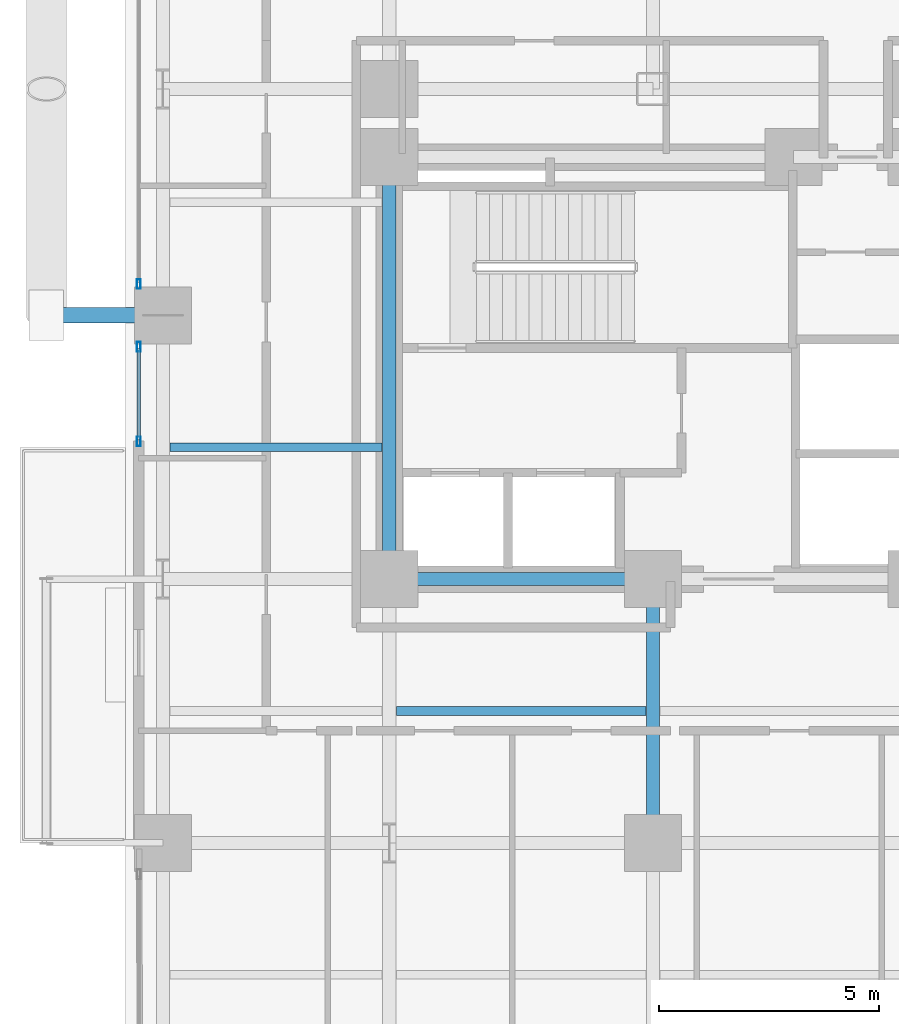
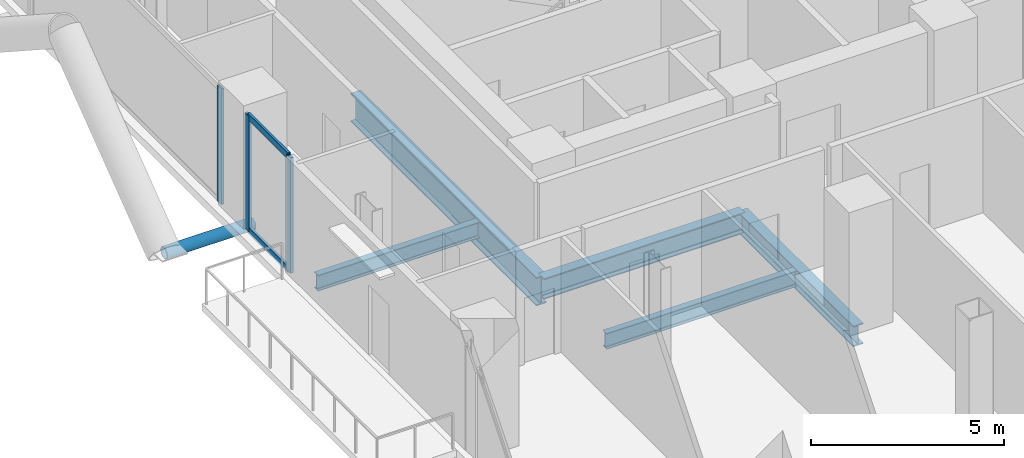
# One storey, part 5 of 25: 6 members, 5 beams, 2 elements without a shape of their own.
"""IFC4 building model written with IfcOpenShell, lengths in metres."""

from ifc_helpers import new_model, si_unit, direction, frame, origin, origin_2d, place, context, subcontext, project, spatial, hollow_rectangle, hollow_circle, i_section, extrude, material, layer, layer_set, material_profile, profile_set, type_object, element, aggregate, save


model = new_model("IFC4")

# Units and contexts
model_context = context("Model", 3, precision=1e-05, world=origin(), true_north=direction((0.0, 1.0)))
body_context = subcontext(model_context, "Body", "Model", "MODEL_VIEW")
ifc_project = project(units=[si_unit("LENGTHUNIT", "METRE"), si_unit("AREAUNIT", "SQUARE_METRE"), si_unit("VOLUMEUNIT", "CUBIC_METRE"), si_unit("PLANEANGLEUNIT", "RADIAN"), si_unit("MASSUNIT", "GRAM", prefix="KILO"), si_unit("THERMODYNAMICTEMPERATUREUNIT", "KELVIN"), si_unit("POWERUNIT", "WATT")], contexts=[model_context])

# Site, building, storey
site_placement = place(None, origin())
site = spatial("IfcSite", under=ifc_project, at=site_placement, CompositionType="ELEMENT")
building_placement = place(site_placement, origin())
building = spatial("IfcBuilding", under=site, at=building_placement, Name="Svarakhadi Broadcast Tower", CompositionType="ELEMENT")
storey_placement = place(building_placement, frame((0.0, 0.0, 51.89990234375)))
storey = spatial("IfcBuildingStorey", under=building, at=storey_placement, Name="L11", CompositionType="ELEMENT", Elevation=51.89990234375)

# Beams
ifc_material_1 = material(Name="Steel S355J2 (IS 2062 E350C)", Category="steel")
ifc_material_profile_1 = material_profile(ifc_material_1, i_section(OverallWidth=0.199951171875, OverallDepth=0.5, WebThickness=0.01025390625, FlangeThickness=0.01611328125, FilletRadius=0.02099609375, at=origin_2d()), Name="NPB 500x200x91")
ifc_profile_set_1 = profile_set([ifc_material_profile_1], Name="Steel S355J2 (IS 2062 E350C)")
beam_type_1 = type_object("IfcBeamType", Name="Beam_NPB500", PredefinedType="BEAM", material=ifc_profile_set_1)
beam_1_placement = place(storey_placement, frame((1.010009765625, 21.0, -0.5), z_axis=(1.0, 0.0, 0.0), x_axis=(0.0, 1.0, 0.0)))
element("IfcBeam", 1, at=beam_1_placement, inside=storey, type_object=beam_type_1, Name="L11 Secondary Composite Beam SB003", PredefinedType="BEAM", context=body_context, shape_type="SweptSolid", body=[
    extrude(i_section(OverallWidth=0.199951171875, OverallDepth=0.5, WebThickness=0.01025390625, FlangeThickness=0.01611328125, FilletRadius=0.02099609375, at=origin_2d()), origin(), (0.0, 0.0, 1.0), 4.830078125),
])
beam_2_placement = place(storey_placement, frame((6.159912109375, 15.0, -0.5), z_axis=(1.0, 0.0, 0.0), x_axis=(0.0, 1.0, 0.0)))
element("IfcBeam", 2, at=beam_2_placement, inside=storey, type_object=beam_type_1, Name="L11 Secondary Composite Beam SB009", PredefinedType="BEAM", context=body_context, shape_type="SweptSolid", body=[
    extrude(i_section(OverallWidth=0.199951171875, OverallDepth=0.5, WebThickness=0.01025390625, FlangeThickness=0.01611328125, FilletRadius=0.02099609375, at=origin_2d()), origin(), (0.0, 0.0, 1.0), 5.68017578125),
])

# Curtain wall, members
ifc_material_2 = material(Name="Anodised Bronze Aluminium AA 6063-T6", Category="aluminium")
ifc_layer = layer(ifc_material_2, 0.219970703125)
ifc_layer_set = layer_set([ifc_layer], Name="Anodised Bronze Aluminium AA 6063-T6")
curtain_wall_type = type_object("IfcCurtainWallType", Name="CW_Sys_02", PredefinedType="NOTDEFINED", material=ifc_layer_set)
curtain_wall_1_placement = place(storey_placement, origin())
curtain_wall_1 = element("IfcCurtainWall", 3, at=curtain_wall_1_placement, inside=storey, type_object=curtain_wall_type, Name="L11 West Curtain Wall 03 Bay 1", PredefinedType="NOTDEFINED")
ifc_material_profile_2 = material_profile(ifc_material_2, hollow_rectangle(XDim=0.0849609375, YDim=0.219970703125, WallThickness=0.006103515625, at=origin_2d()), Name="ALU MULLION 220x85x6")
ifc_profile_set_2 = profile_set([ifc_material_profile_2], Name="Anodised Bronze Aluminium AA 6063-T6")
member_type_1 = type_object("IfcMemberType", Name="CW_Sys_02_Mul", PredefinedType="MULLION", material=ifc_profile_set_2)
member_1_placement = place(storey_placement, frame((0.300048828125, 21.132568359375, 0.0), z_axis=(0.0, 0.0, 1.0), x_axis=(-1.0, 0.0, 0.0)))
member_1 = element("IfcMember", 4, at=member_1_placement, type_object=member_type_1, Name="CW-02 mullion 1", PredefinedType="MULLION", context=body_context, shape_type="SweptSolid", body=[
    extrude(hollow_rectangle(XDim=0.0849609375, YDim=0.219970703125, WallThickness=0.006103515625, at=origin_2d()), origin(), (0.0, 0.0, 1.0), 3.650146484375),
])
member_2_placement = place(storey_placement, frame((0.300048828125, 23.28759765625, 0.0), z_axis=(0.0, 0.0, 1.0), x_axis=(-1.0, 0.0, 0.0)))
member_2 = element("IfcMember", 5, at=member_2_placement, type_object=member_type_1, Name="CW-02 mullion 2", PredefinedType="MULLION", context=body_context, shape_type="SweptSolid", body=[
    extrude(hollow_rectangle(XDim=0.0849609375, YDim=0.219970703125, WallThickness=0.006103515625, at=origin_2d()), origin(), (0.0, 0.0, 1.0), 3.650146484375),
])

# Curtain wall, member
curtain_wall_2_placement = place(storey_placement, origin())
curtain_wall_2 = element("IfcCurtainWall", 6, at=curtain_wall_2_placement, inside=storey, type_object=curtain_wall_type, Name="L11 West Curtain Wall 03 Bay 2", PredefinedType="NOTDEFINED")
member_3_placement = place(storey_placement, frame((0.300048828125, 24.71240234375, 0.0), z_axis=(0.0, 0.0, 1.0), x_axis=(-1.0, 0.0, 0.0)))
member_3 = element("IfcMember", 7, at=member_3_placement, type_object=member_type_1, Name="CW-02 mullion 1", PredefinedType="MULLION", context=body_context, shape_type="SweptSolid", body=[
    extrude(hollow_rectangle(XDim=0.0849609375, YDim=0.219970703125, WallThickness=0.006103515625, at=origin_2d()), origin(), (0.0, 0.0, 1.0), 3.650146484375),
])
aggregate(curtain_wall_2, [member_3])

# Member
ifc_material_profile_3 = material_profile(ifc_material_2, hollow_rectangle(XDim=0.074951171875, YDim=0.199951171875, WallThickness=0.0048828125, at=origin_2d()), Name="ALU TRANSOM 200x75x5")
ifc_profile_set_3 = profile_set([ifc_material_profile_3], Name="Anodised Bronze Aluminium AA 6063-T6")
member_type_2 = type_object("IfcMemberType", Name="CW_Sys_02_Trn", PredefinedType="USERDEFINED", material=ifc_profile_set_3)
member_4_placement = place(storey_placement, frame((0.300048828125, 21.175048828125, 0.03759765625), z_axis=(0.0, 1.0, 0.0), x_axis=(-1.0, 0.0, 0.0)))
member_4 = element("IfcMember", 8, at=member_4_placement, type_object=member_type_2, Name="CW-02 transom 1.1", ObjectType="TRANSOM", PredefinedType="USERDEFINED", context=body_context, shape_type="SweptSolid", body=[
    extrude(hollow_rectangle(XDim=0.074951171875, YDim=0.199951171875, WallThickness=0.0048828125, at=origin_2d()), origin(), (0.0, 0.0, 1.0), 2.070068359375),
])

member_5_placement = place(storey_placement, frame((0.300048828125, 21.175048828125, 3.612548828125), z_axis=(0.0, 1.0, 0.0), x_axis=(-1.0, 0.0, 0.0)))
member_5 = element("IfcMember", 9, at=member_5_placement, type_object=member_type_2, Name="CW-02 transom 1.2", ObjectType="TRANSOM", PredefinedType="USERDEFINED", context=body_context, shape_type="SweptSolid", body=[
    extrude(hollow_rectangle(XDim=0.074951171875, YDim=0.199951171875, WallThickness=0.0048828125, at=origin_2d()), origin(), (0.0, 0.0, 1.0), 2.070068359375),
])

aggregate(curtain_wall_1, [member_1, member_2, member_4, member_5])

ifc_material_3 = material(Name="Steel S460ML (IS 2062 E450BR)", Category="steel")
ifc_material_profile_4 = material_profile(ifc_material_3, hollow_circle(Radius=0.177734375, WallThickness=0.02001953125, at=origin_2d()), Name="CHS 355.6x20")
ifc_profile_set_4 = profile_set([ifc_material_profile_4], Name="Steel S460ML (IS 2062 E450BR)")
member_type_3 = type_object("IfcMemberType", Name="Exo_Radial_Strut_Z1", PredefinedType="STRUT", material=ifc_profile_set_4)
member_6_placement = place(storey_placement, frame((-1.800048828125, 24.0, -0.427734375), z_axis=(1.0, 0.0, 0.0), x_axis=(0.0, 1.0, 0.0)))
element("IfcMember", 10, at=member_6_placement, inside=storey, type_object=member_type_3, Name="L11 Exoskeleton Radial Tie Strut W04", PredefinedType="STRUT", context=body_context, shape_type="SweptSolid", body=[
    extrude(hollow_circle(Radius=0.177734375, WallThickness=0.02001953125, at=origin_2d()), origin(), (0.0, 0.0, 1.0), 2.650146484375),
])

# Beams
ifc_material_profile_5 = material_profile(ifc_material_1, i_section(OverallWidth=0.300048828125, OverallDepth=0.64990234375, WebThickness=0.01611328125, FlangeThickness=0.031005859375, FilletRadius=0.027099609375, at=origin_2d()), Name="WPB 650x300x225")
ifc_profile_set_5 = profile_set([ifc_material_profile_5], Name="Steel S355J2 (IS 2062 E350C)")
beam_type_2 = type_object("IfcBeamType", Name="Girder_WPB650", PredefinedType="USERDEFINED", material=ifc_profile_set_5)
for number, where, z_axis, x_axis, name in (
    (11, (6.0, 18.0, -0.574951171875), (1.0, 0.0, 0.0), (0.0, 1.0, 0.0), "L11 Primary E-W Girder G026"),
    (12, (12.0, 12.0, -0.574951171875), (0.0, 1.0, 0.0), (-1.0, 0.0, 0.0), "L11 Primary N-S Girder G060"),
):
    element("IfcBeam", number, at=place(storey_placement, frame(where, z_axis=z_axis, x_axis=x_axis)), inside=storey, type_object=beam_type_2, Name=name, ObjectType="GIRDER", PredefinedType="USERDEFINED", context=body_context, shape_type="SweptSolid", body=[
        extrude(i_section(OverallWidth=0.300048828125, OverallDepth=0.64990234375, WebThickness=0.01611328125, FlangeThickness=0.031005859375, FilletRadius=0.027099609375, at=origin_2d()), origin(), (0.0, 0.0, 1.0), 6.0),
    ])
ifc_material_profile_6 = material_profile(ifc_material_3, i_section(OverallWidth=0.300048828125, OverallDepth=0.89990234375, WebThickness=0.0185546875, FlangeThickness=0.034912109375, FilletRadius=0.030029296875, at=origin_2d()), Name="WPB 900x300x291")
ifc_profile_set_6 = profile_set([ifc_material_profile_6], Name="Steel S460ML (IS 2062 E450BR)")
beam_type_3 = type_object("IfcBeamType", Name="Girder_WPB900", PredefinedType="USERDEFINED", material=ifc_profile_set_6)
beam_3_placement = place(storey_placement, frame((6.0, 18.0, -0.699951171875), z_axis=(0.0, 1.0, 0.0), x_axis=(-1.0, 0.0, 0.0)))
element("IfcBeam", 13, at=beam_3_placement, inside=storey, type_object=beam_type_3, Name="L11 Primary N-S Girder G054", ObjectType="GIRDER", PredefinedType="USERDEFINED", context=body_context, shape_type="SweptSolid", body=[
    extrude(i_section(OverallWidth=0.300048828125, OverallDepth=0.89990234375, WebThickness=0.0185546875, FlangeThickness=0.034912109375, FilletRadius=0.030029296875, at=origin_2d()), origin(), (0.0, 0.0, 1.0), 9.60009765625),
])

save(model, "model.ifc")
